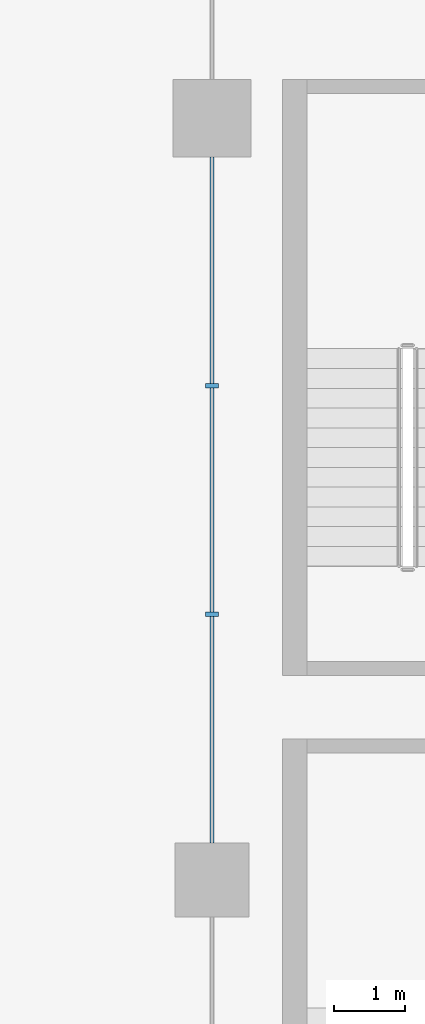
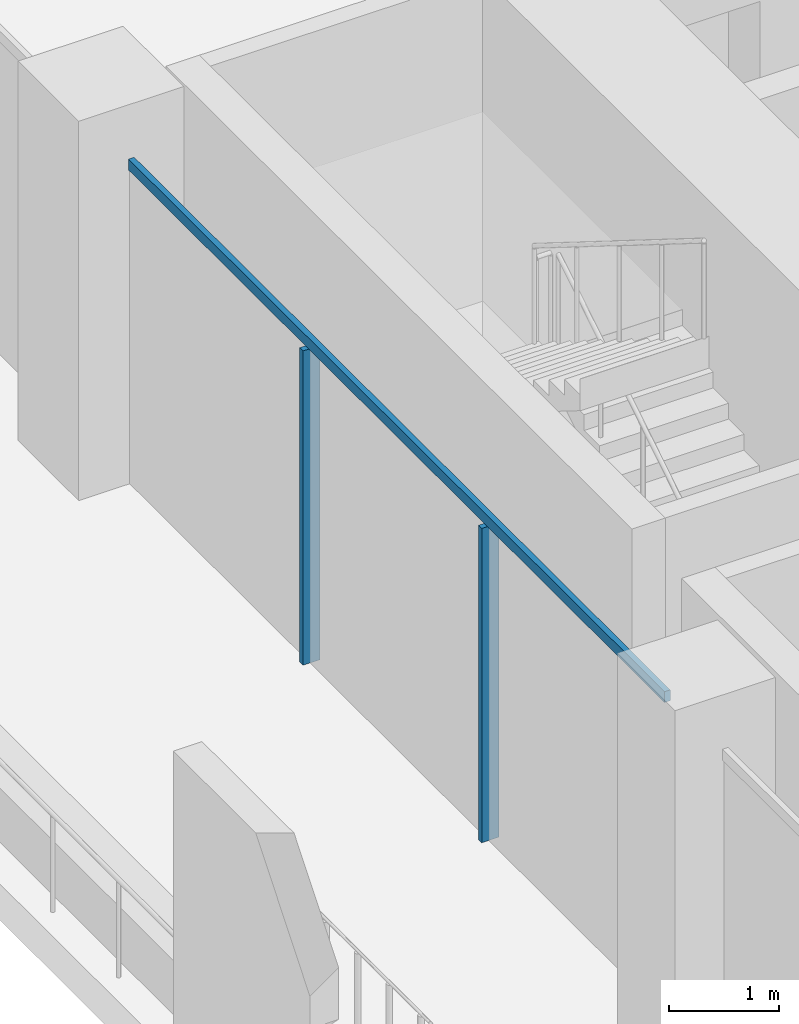
# One storey, part 5 of 27: 3 members, 1 element without a shape of its own.
"""IFC4 building model written with IfcOpenShell, lengths in metres."""

from ifc_helpers import new_model, si_unit, direction, frame, origin, origin_2d, place, context, subcontext, project, spatial, rectangle, extrude, material, layer, layer_set, material_profile, profile_set, type_object, element, aggregate, save


model = new_model("IFC4")

# Units and contexts
model_context = context("Model", 3, precision=1e-05, world=origin(), true_north=direction((0.0, 1.0)))
body_context = subcontext(model_context, "Body", "Model", "MODEL_VIEW")
ifc_project = project(units=[si_unit("LENGTHUNIT", "METRE"), si_unit("AREAUNIT", "SQUARE_METRE"), si_unit("VOLUMEUNIT", "CUBIC_METRE"), si_unit("PLANEANGLEUNIT", "RADIAN"), si_unit("MASSUNIT", "GRAM", prefix="KILO")], contexts=[model_context])

# Site, building, storey
site_placement = place(None, origin())
site = spatial("IfcSite", under=ifc_project, at=site_placement, CompositionType="ELEMENT")
building_placement = place(site_placement, origin())
building = spatial("IfcBuilding", under=site, at=building_placement, Name="Kawkab Arch Medical Tower", CompositionType="ELEMENT")
storey_placement = place(building_placement, frame((0.0, 0.0, 103.0)))
storey = spatial("IfcBuildingStorey", under=building, at=storey_placement, Name="L23", CompositionType="ELEMENT", Elevation=103.0)

# Curtain wall, members
ifc_material_1 = material(Name="Bronze anodised aluminium curtain wall frame", Category="aluminium")
ifc_layer = layer(ifc_material_1, 0.159912109375)
ifc_layer_set = layer_set([ifc_layer], Name="Bronze anodised aluminium curtain wall frame")
curtain_wall_type = type_object("IfcCurtainWallType", Name="CW1 ward curtain wall", PredefinedType="NOTDEFINED", material=ifc_layer_set)
curtain_wall_placement = place(storey_placement, origin())
curtain_wall = element("IfcCurtainWall", 1, at=curtain_wall_placement, inside=storey, type_object=curtain_wall_type, Name="CW1 Ward curtain wall R13", PredefinedType="NOTDEFINED")
ifc_material_2 = material(Name="Bronze anodised aluminium curtain wall frame", Category="aluminium")
ifc_material_profile_1 = material_profile(ifc_material_2, rectangle(XDim=0.179931640625, YDim=0.06005859375, at=origin_2d()), Name="AL 60x180")
ifc_profile_set_1 = profile_set([ifc_material_profile_1], Name="Bronze anodised aluminium curtain wall frame")
member_type_1 = type_object("IfcMemberType", Name="CW1 mullion 60 x 180", PredefinedType="MULLION", material=ifc_profile_set_1)
member_1_placement = place(storey_placement, frame((0.0, -9.791748046875, 0.0), z_axis=(0.0, 0.0, 1.0), x_axis=(1.0, 0.0, 0.0)))
member_1 = element("IfcMember", 2, at=member_1_placement, type_object=member_type_1, Name="CW1 mullion 2.1", PredefinedType="MULLION", context=body_context, shape_type="SweptSolid", body=[
    extrude(rectangle(XDim=0.179931640625, YDim=0.06005859375, at=origin_2d()), origin(), (0.0, 0.0, 1.0), 3.47998046875),
])
member_2_placement = place(storey_placement, frame((0.0, -13.033447265625, 0.0), z_axis=(0.0, 0.0, 1.0), x_axis=(1.0, 0.0, 0.0)))
member_2 = element("IfcMember", 3, at=member_2_placement, type_object=member_type_1, Name="CW1 mullion 2.2", PredefinedType="MULLION", context=body_context, shape_type="SweptSolid", body=[
    extrude(rectangle(XDim=0.179931640625, YDim=0.06005859375, at=origin_2d()), origin(), (0.0, 0.0, 1.0), 3.47998046875),
])
ifc_material_3 = material(Name="Bronze anodised aluminium curtain wall frame", Category="aluminium")
ifc_material_profile_2 = material_profile(ifc_material_3, rectangle(XDim=0.06005859375, YDim=0.1201171875, at=origin_2d()), Name="AL 60x120")
ifc_profile_set_2 = profile_set([ifc_material_profile_2], Name="Bronze anodised aluminium curtain wall frame")
member_type_2 = type_object("IfcMemberType", Name="CW1 transom 120 x 60", PredefinedType="USERDEFINED", material=ifc_profile_set_2)
member_3_placement = place(storey_placement, frame((0.0, -6.550048828125, 3.5400390625), z_axis=(0.0, -1.0, 0.0), x_axis=(1.0, 0.0, 0.0)))
member_3 = element("IfcMember", 4, at=member_3_placement, type_object=member_type_2, Name="CW1 transom 2", ObjectType="TRANSOM", PredefinedType="USERDEFINED", context=body_context, shape_type="SweptSolid", body=[
    extrude(rectangle(XDim=0.06005859375, YDim=0.1201171875, at=origin_2d()), origin(), (0.0, 0.0, 1.0), 9.724853515625),
])
aggregate(curtain_wall, [member_3, member_1, member_2])

save(model, "model.ifc")
